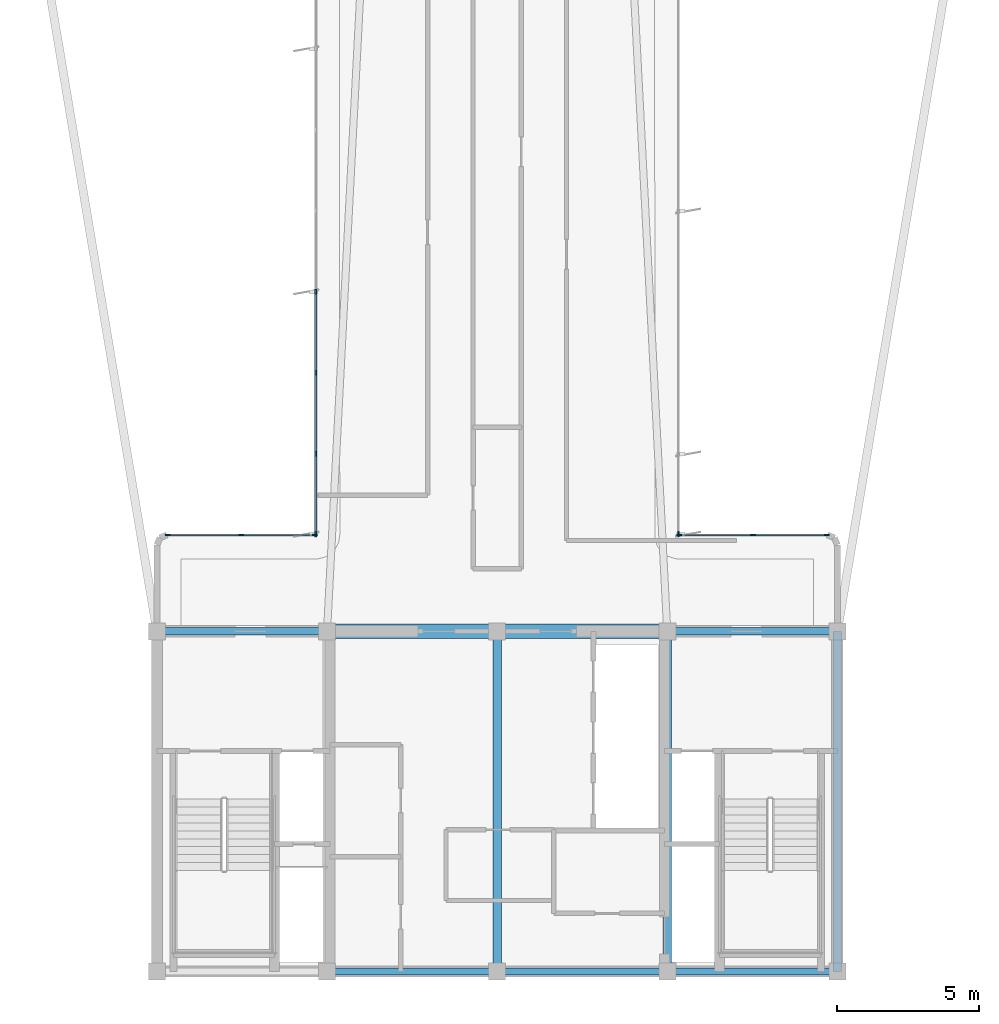
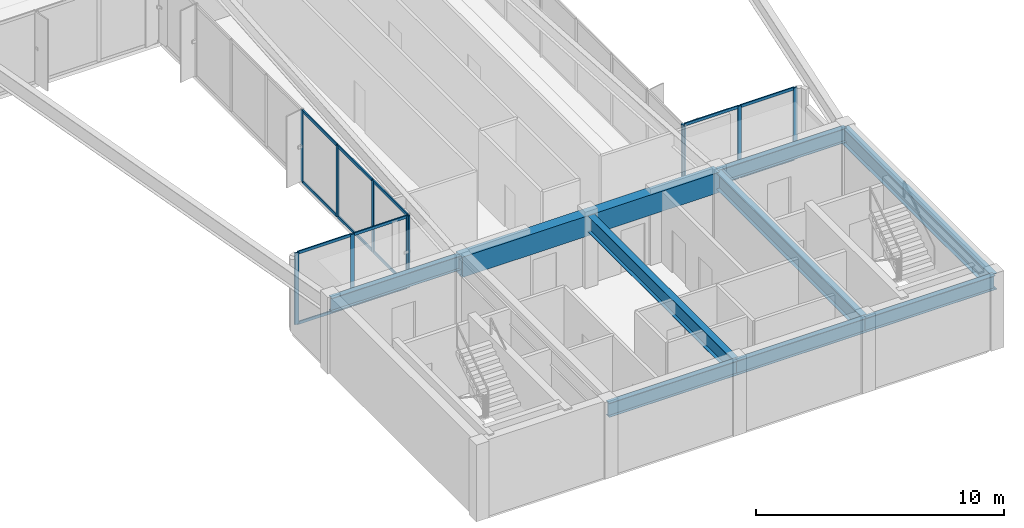
# One storey, part 2 of 14: 25 members, 9 beams, 4 elements without a shape of their own.
"""IFC4 building model written with IfcOpenShell, lengths in metres."""

from ifc_helpers import new_model, si_unit, direction, frame, origin, origin_2d, place, context, subcontext, project, spatial, rectangle, i_section, extrude, source, transform, mapped, material, layer, layer_set, material_profile, profile_set, type_object, element, aggregate, save


model = new_model("IFC4")

# Units and contexts
model_context = context("Model", 3, precision=1e-05, world=origin(), true_north=direction((0.0, 1.0)))
body_context = subcontext(model_context, "Body", "Model", "MODEL_VIEW")
ifc_project = project(units=[si_unit("LENGTHUNIT", "METRE"), si_unit("AREAUNIT", "SQUARE_METRE"), si_unit("VOLUMEUNIT", "CUBIC_METRE"), si_unit("PLANEANGLEUNIT", "RADIAN"), si_unit("MASSUNIT", "GRAM", prefix="KILO")], contexts=[model_context])

# Site, building, storey
site_placement = place(None, origin())
site = spatial("IfcSite", under=ifc_project, at=site_placement, CompositionType="ELEMENT")
building_placement = place(site_placement, origin())
building = spatial("IfcBuilding", under=site, at=building_placement, Name="Brelvock Crest Care Tower", CompositionType="ELEMENT")
storey_placement = place(building_placement, frame((0.0, 0.0, 257.0400390625)))
storey = spatial("IfcBuildingStorey", under=building, at=storey_placement, Name="L65", CompositionType="ELEMENT", Elevation=257.0400390625)

# Beams
ifc_material_1 = material(Name="Steel Grade 350", Category="steel")
ifc_material_profile_1 = material_profile(ifc_material_1, i_section(OverallWidth=0.25, OverallDepth=0.699951171875, WebThickness=0.011962890625, FlangeThickness=0.02001953125, at=origin_2d()), Name="700WB150")
ifc_profile_set_1 = profile_set([ifc_material_profile_1], Name="Steel Grade 350")
beam_type_1 = type_object("IfcBeamType", Name="BM-G4", PredefinedType="BEAM", material=ifc_profile_set_1)
shared_shape_1 = source(origin(), body_context, "Body", "SweptSolid", [
    extrude(i_section(OverallWidth=0.25, OverallDepth=0.699951171875, WebThickness=0.011962890625, FlangeThickness=0.02001953125, at=origin_2d()), origin(), (0.0, 0.0, 1.0), 6.0),
])
for number, where, z_axis, x_axis, name in (
    (1, (24.0, 18.0, 3.179931640625), (1.0, 0.0, 0.0), (0.0, 1.0, 0.0), "BM-COREN-L65-1"),
    (2, (30.0, 6.0, 3.179931640625), (1.0, 0.0, 0.0), (0.0, 1.0, 0.0), "BM-CORES-L65-2"),
    (3, (36.0, 6.0, 3.179931640625), (1.0, 0.0, 0.0), (0.0, 1.0, 0.0), "BM-CORES-L65-3"),
    (4, (42.0, 6.0, 3.179931640625), (1.0, 0.0, 0.0), (0.0, 1.0, 0.0), "BM-CORES-L65-4"),
    (5, (42.0, 18.0, 3.179931640625), (1.0, 0.0, 0.0), (0.0, 1.0, 0.0), "BM-COREN-L65-4"),
):
    element("IfcBeam", number, at=place(storey_placement, frame(where, z_axis=z_axis, x_axis=x_axis)), inside=storey, type_object=beam_type_1, Name=name, PredefinedType="BEAM", context=body_context, shape_type="MappedRepresentation", body=[
        mapped(shared_shape_1, transform((0.0, 0.0, 0.0), x_axis=(1.0, 0.0, 0.0), y_axis=(0.0, 1.0, 0.0), z_axis=(0.0, 0.0, 1.0), scale=1.0)),
    ])
ifc_material_profile_2 = material_profile(ifc_material_1, i_section(OverallWidth=0.300048828125, OverallDepth=0.800048828125, WebThickness=0.013916015625, FlangeThickness=0.02197265625, at=origin_2d()), Name="800WB192")
ifc_profile_set_2 = profile_set([ifc_material_profile_2], Name="Steel Grade 350")
beam_type_2 = type_object("IfcBeamType", Name="BM-G5", PredefinedType="BEAM", material=ifc_profile_set_2)
shared_shape_2 = source(origin(), body_context, "Body", "SweptSolid", [
    extrude(i_section(OverallWidth=0.300048828125, OverallDepth=0.800048828125, WebThickness=0.013916015625, FlangeThickness=0.02197265625, at=origin_2d()), origin(), (0.0, 0.0, 1.0), 12.0),
])
for number, where, z_axis, x_axis, name in (
    (6, (36.0, 6.0, 3.1298828125), (0.0, 1.0, 0.0), (-1.0, 0.0, 0.0), "BM-COREX-L65-3"),
    (7, (42.0, 6.0, 3.1298828125), (0.0, 1.0, 0.0), (-1.0, 0.0, 0.0), "BM-COREX-L65-4"),
    (8, (48.0, 6.0, 3.1298828125), (0.0, 1.0, 0.0), (-1.0, 0.0, 0.0), "BM-COREX-L65-5"),
):
    element("IfcBeam", number, at=place(storey_placement, frame(where, z_axis=z_axis, x_axis=x_axis)), inside=storey, type_object=beam_type_2, Name=name, PredefinedType="BEAM", context=body_context, shape_type="MappedRepresentation", body=[
        mapped(shared_shape_2, transform((0.0, 0.0, 0.0), x_axis=(1.0, 0.0, 0.0), y_axis=(0.0, 1.0, 0.0), z_axis=(0.0, 0.0, 1.0), scale=1.0)),
    ])
ifc_material_2 = material(Name="Concrete S65 (65 MPa)", Category="concrete")
ifc_material_profile_3 = material_profile(ifc_material_2, rectangle(XDim=0.5, YDim=1.0, at=origin_2d()), Name="RC500x1000")
ifc_profile_set_3 = profile_set([ifc_material_profile_3], Name="Concrete S65 (65 MPa)")
beam_type_3 = type_object("IfcBeamType", Name="BM-LN2", PredefinedType="LINTEL", material=ifc_profile_set_3)
shared_shape_3 = source(origin(), body_context, "Body", "SweptSolid", [
    extrude(rectangle(XDim=0.5, YDim=1.0, at=origin_2d()), origin(), (0.0, 0.0, 1.0), 12.0),
])
beam_placement = place(storey_placement, frame((30.0, 18.0, 3.030029296875), z_axis=(1.0, 0.0, 0.0), x_axis=(0.0, 1.0, 0.0)))
element("IfcBeam", 9, at=beam_placement, inside=storey, type_object=beam_type_3, Name="L65 Core Coupling Lintel Beam", PredefinedType="LINTEL", context=body_context, shape_type="MappedRepresentation", body=[
    mapped(shared_shape_3, transform((0.0, 0.0, 0.0), x_axis=(1.0, 0.0, 0.0), y_axis=(0.0, 1.0, 0.0), z_axis=(0.0, 0.0, 1.0), scale=1.0)),
])

# Curtain wall, members
ifc_material_3 = material(Name="Dark Glass Double Glazed Low-E", Category="glass")
ifc_layer = layer(ifc_material_3, 0.239990234375, Name="CWS-5")
ifc_layer_set = layer_set([ifc_layer], Name="Dark Glass Double Glazed Low-E")
curtain_wall_type = type_object("IfcCurtainWallType", Name="CWS-5", PredefinedType="NOTDEFINED", material=ifc_layer_set)
curtain_wall_1_placement = place(storey_placement, origin())
curtain_wall_1 = element("IfcCurtainWall", 10, at=curtain_wall_1_placement, inside=storey, type_object=curtain_wall_type, Name="L65 Curtain Wall E10", PredefinedType="NOTDEFINED")
ifc_material_4 = material(Name="Aluminium 6063-T6", Category="aluminium")
ifc_material_profile_4 = material_profile(ifc_material_4, rectangle(XDim=0.06005859375, YDim=0.179931640625, at=origin_2d()), Name="ALU60x180")
ifc_profile_set_4 = profile_set([ifc_material_profile_4], Name="Aluminium 6063-T6")
member_type_1 = type_object("IfcMemberType", Name="CWM-2", PredefinedType="MULLION", material=ifc_profile_set_4)
shared_shape_4 = source(origin(), body_context, "Body", "SweptSolid", [
    extrude(rectangle(XDim=0.06005859375, YDim=0.179931640625, at=origin_2d()), origin(), (0.0, 0.0, 1.0), 3.530029296875),
])
member_1_placement = place(storey_placement, frame((24.3798828125, 21.39990234375, 0.0), z_axis=(0.0, 0.0, 1.0), x_axis=(0.0, 1.0, 0.0)))
member_1 = element("IfcMember", 11, at=member_1_placement, type_object=member_type_1, Name="CW-5 mullion 1", PredefinedType="MULLION", context=body_context, shape_type="MappedRepresentation", body=[
    mapped(shared_shape_4, transform((0.0, 0.0, 0.0), x_axis=(1.0, 0.0, 0.0), y_axis=(0.0, 1.0, 0.0), z_axis=(0.0, 0.0, 1.0), scale=1.0)),
])
member_2_placement = place(storey_placement, frame((26.97509765625, 21.39990234375, 0.0), z_axis=(0.0, 0.0, 1.0), x_axis=(0.0, 1.0, 0.0)))
member_2 = element("IfcMember", 12, at=member_2_placement, type_object=member_type_1, Name="CW-5 mullion 2", PredefinedType="MULLION", context=body_context, shape_type="MappedRepresentation", body=[
    mapped(shared_shape_4, transform((0.0, 0.0, 0.0), x_axis=(1.0, 0.0, 0.0), y_axis=(0.0, 1.0, 0.0), z_axis=(0.0, 0.0, 1.0), scale=1.0)),
])
member_3_placement = place(storey_placement, frame((29.570068359375, 21.39990234375, 0.0), z_axis=(0.0, 0.0, 1.0), x_axis=(0.0, 1.0, 0.0)))
member_3 = element("IfcMember", 13, at=member_3_placement, type_object=member_type_1, Name="CW-5 mullion 3", PredefinedType="MULLION", context=body_context, shape_type="MappedRepresentation", body=[
    mapped(shared_shape_4, transform((0.0, 0.0, 0.0), x_axis=(1.0, 0.0, 0.0), y_axis=(0.0, 1.0, 0.0), z_axis=(0.0, 0.0, 1.0), scale=1.0)),
])

curtain_wall_2_placement = place(storey_placement, origin())
curtain_wall_2 = element("IfcCurtainWall", 14, at=curtain_wall_2_placement, inside=storey, type_object=curtain_wall_type, Name="L65 Curtain Wall E11", PredefinedType="NOTDEFINED")
member_4_placement = place(storey_placement, frame((29.60009765625, 21.429931640625, 0.0), z_axis=(0.0, 0.0, 1.0), x_axis=(-1.0, 0.0, 0.0)))
member_4 = element("IfcMember", 15, at=member_4_placement, type_object=member_type_1, Name="CW-5 mullion 1", PredefinedType="MULLION", context=body_context, shape_type="MappedRepresentation", body=[
    mapped(shared_shape_4, transform((0.0, 0.0, 0.0), x_axis=(1.0, 0.0, 0.0), y_axis=(0.0, 1.0, 0.0), z_axis=(0.0, 0.0, 1.0), scale=1.0)),
])
member_5_placement = place(storey_placement, frame((29.60009765625, 24.257080078125, 0.0), z_axis=(0.0, 0.0, 1.0), x_axis=(-1.0, 0.0, 0.0)))
member_5 = element("IfcMember", 16, at=member_5_placement, type_object=member_type_1, Name="CW-5 mullion 2", PredefinedType="MULLION", context=body_context, shape_type="MappedRepresentation", body=[
    mapped(shared_shape_4, transform((0.0, 0.0, 0.0), x_axis=(1.0, 0.0, 0.0), y_axis=(0.0, 1.0, 0.0), z_axis=(0.0, 0.0, 1.0), scale=1.0)),
])
member_6_placement = place(storey_placement, frame((29.60009765625, 27.1142578125, 0.0), z_axis=(0.0, 0.0, 1.0), x_axis=(-1.0, 0.0, 0.0)))
member_6 = element("IfcMember", 17, at=member_6_placement, type_object=member_type_1, Name="CW-5 mullion 3", PredefinedType="MULLION", context=body_context, shape_type="MappedRepresentation", body=[
    mapped(shared_shape_4, transform((0.0, 0.0, 0.0), x_axis=(1.0, 0.0, 0.0), y_axis=(0.0, 1.0, 0.0), z_axis=(0.0, 0.0, 1.0), scale=1.0)),
])
member_7_placement = place(storey_placement, frame((29.60009765625, 29.971435546875, 0.0), z_axis=(0.0, 0.0, 1.0), x_axis=(-1.0, 0.0, 0.0)))
member_7 = element("IfcMember", 18, at=member_7_placement, type_object=member_type_1, Name="CW-5 mullion 4", PredefinedType="MULLION", context=body_context, shape_type="MappedRepresentation", body=[
    mapped(shared_shape_4, transform((0.0, 0.0, 0.0), x_axis=(1.0, 0.0, 0.0), y_axis=(0.0, 1.0, 0.0), z_axis=(0.0, 0.0, 1.0), scale=1.0)),
])

# Curtain wall, member
curtain_wall_3_placement = place(storey_placement, origin())
curtain_wall_3 = element("IfcCurtainWall", 19, at=curtain_wall_3_placement, inside=storey, type_object=curtain_wall_type, Name="L65 Curtain Wall E45", PredefinedType="NOTDEFINED")
member_8_placement = place(storey_placement, frame((42.39990234375, 21.429931640625, 0.0), z_axis=(0.0, 0.0, 1.0), x_axis=(1.0, 0.0, 0.0)))
member_8 = element("IfcMember", 20, at=member_8_placement, type_object=member_type_1, Name="CW-5 mullion 8", PredefinedType="MULLION", context=body_context, shape_type="MappedRepresentation", body=[
    mapped(shared_shape_4, transform((0.0, 0.0, 0.0), x_axis=(1.0, 0.0, 0.0), y_axis=(0.0, 1.0, 0.0), z_axis=(0.0, 0.0, 1.0), scale=1.0)),
])
aggregate(curtain_wall_3, [member_8])

# Curtain wall, members
curtain_wall_4_placement = place(storey_placement, origin())
curtain_wall_4 = element("IfcCurtainWall", 21, at=curtain_wall_4_placement, inside=storey, type_object=curtain_wall_type, Name="L65 Curtain Wall E46", PredefinedType="NOTDEFINED")
member_9_placement = place(storey_placement, frame((42.429931640625, 21.39990234375, 0.0), z_axis=(0.0, 0.0, 1.0), x_axis=(0.0, 1.0, 0.0)))
member_9 = element("IfcMember", 22, at=member_9_placement, type_object=member_type_1, Name="CW-5 mullion 1", PredefinedType="MULLION", context=body_context, shape_type="MappedRepresentation", body=[
    mapped(shared_shape_4, transform((0.0, 0.0, 0.0), x_axis=(1.0, 0.0, 0.0), y_axis=(0.0, 1.0, 0.0), z_axis=(0.0, 0.0, 1.0), scale=1.0)),
])
member_10_placement = place(storey_placement, frame((45.02490234375, 21.39990234375, 0.0), z_axis=(0.0, 0.0, 1.0), x_axis=(0.0, 1.0, 0.0)))
member_10 = element("IfcMember", 23, at=member_10_placement, type_object=member_type_1, Name="CW-5 mullion 2", PredefinedType="MULLION", context=body_context, shape_type="MappedRepresentation", body=[
    mapped(shared_shape_4, transform((0.0, 0.0, 0.0), x_axis=(1.0, 0.0, 0.0), y_axis=(0.0, 1.0, 0.0), z_axis=(0.0, 0.0, 1.0), scale=1.0)),
])
member_11_placement = place(storey_placement, frame((47.6201171875, 21.39990234375, 0.0), z_axis=(0.0, 0.0, 1.0), x_axis=(0.0, 1.0, 0.0)))
member_11 = element("IfcMember", 24, at=member_11_placement, type_object=member_type_1, Name="CW-5 mullion 3", PredefinedType="MULLION", context=body_context, shape_type="MappedRepresentation", body=[
    mapped(shared_shape_4, transform((0.0, 0.0, 0.0), x_axis=(1.0, 0.0, 0.0), y_axis=(0.0, 1.0, 0.0), z_axis=(0.0, 0.0, 1.0), scale=1.0)),
])

# Member
ifc_material_profile_5 = material_profile(ifc_material_4, rectangle(XDim=0.06005859375, YDim=0.139892578125, at=origin_2d()), Name="ALU60x140")
ifc_profile_set_5 = profile_set([ifc_material_profile_5], Name="Aluminium 6063-T6")
member_type_2 = type_object("IfcMemberType", Name="CWT-2", PredefinedType="USERDEFINED", material=ifc_profile_set_5)
shared_shape_5 = source(origin(), body_context, "Body", "SweptSolid", [
    extrude(rectangle(XDim=0.06005859375, YDim=0.139892578125, at=origin_2d()), origin(), (0.0, 0.0, 1.0), 2.53515625),
])
member_12_placement = place(storey_placement, frame((24.409912109375, 21.39990234375, 0.030029296875), z_axis=(1.0, 0.0, 0.0), x_axis=(0.0, 1.0, 0.0)))
member_12 = element("IfcMember", 25, at=member_12_placement, type_object=member_type_2, Name="CW-5 transom 1.1", ObjectType="TRANSOM", PredefinedType="USERDEFINED", context=body_context, shape_type="MappedRepresentation", body=[
    mapped(shared_shape_5, transform((0.0, 0.0, 0.0), x_axis=(1.0, 0.0, 0.0), y_axis=(0.0, 1.0, 0.0), z_axis=(0.0, 0.0, 1.0), scale=1.0)),
])

member_13_placement = place(storey_placement, frame((24.409912109375, 21.39990234375, 3.5), z_axis=(1.0, 0.0, 0.0), x_axis=(0.0, 1.0, 0.0)))
member_13 = element("IfcMember", 26, at=member_13_placement, type_object=member_type_2, Name="CW-5 transom 1.2", ObjectType="TRANSOM", PredefinedType="USERDEFINED", context=body_context, shape_type="MappedRepresentation", body=[
    mapped(shared_shape_5, transform((0.0, 0.0, 0.0), x_axis=(1.0, 0.0, 0.0), y_axis=(0.0, 1.0, 0.0), z_axis=(0.0, 0.0, 1.0), scale=1.0)),
])

member_14_placement = place(storey_placement, frame((27.0048828125, 21.39990234375, 0.030029296875), z_axis=(1.0, 0.0, 0.0), x_axis=(0.0, 1.0, 0.0)))
member_14 = element("IfcMember", 27, at=member_14_placement, type_object=member_type_2, Name="CW-5 transom 2.1", ObjectType="TRANSOM", PredefinedType="USERDEFINED", context=body_context, shape_type="MappedRepresentation", body=[
    mapped(shared_shape_5, transform((0.0, 0.0, 0.0), x_axis=(1.0, 0.0, 0.0), y_axis=(0.0, 1.0, 0.0), z_axis=(0.0, 0.0, 1.0), scale=1.0)),
])

member_15_placement = place(storey_placement, frame((27.0048828125, 21.39990234375, 3.5), z_axis=(1.0, 0.0, 0.0), x_axis=(0.0, 1.0, 0.0)))
member_15 = element("IfcMember", 28, at=member_15_placement, type_object=member_type_2, Name="CW-5 transom 2.2", ObjectType="TRANSOM", PredefinedType="USERDEFINED", context=body_context, shape_type="MappedRepresentation", body=[
    mapped(shared_shape_5, transform((0.0, 0.0, 0.0), x_axis=(1.0, 0.0, 0.0), y_axis=(0.0, 1.0, 0.0), z_axis=(0.0, 0.0, 1.0), scale=1.0)),
])

aggregate(curtain_wall_1, [member_1, member_2, member_3, member_12, member_13, member_14, member_15])

member_16_placement = place(storey_placement, frame((42.4599609375, 21.39990234375, 0.030029296875), z_axis=(1.0, 0.0, 0.0), x_axis=(0.0, 1.0, 0.0)))
member_16 = element("IfcMember", 29, at=member_16_placement, type_object=member_type_2, Name="CW-5 transom 1.1", ObjectType="TRANSOM", PredefinedType="USERDEFINED", context=body_context, shape_type="MappedRepresentation", body=[
    mapped(shared_shape_5, transform((0.0, 0.0, 0.0), x_axis=(1.0, 0.0, 0.0), y_axis=(0.0, 1.0, 0.0), z_axis=(0.0, 0.0, 1.0), scale=1.0)),
])

member_17_placement = place(storey_placement, frame((42.4599609375, 21.39990234375, 3.5), z_axis=(1.0, 0.0, 0.0), x_axis=(0.0, 1.0, 0.0)))
member_17 = element("IfcMember", 30, at=member_17_placement, type_object=member_type_2, Name="CW-5 transom 1.2", ObjectType="TRANSOM", PredefinedType="USERDEFINED", context=body_context, shape_type="MappedRepresentation", body=[
    mapped(shared_shape_5, transform((0.0, 0.0, 0.0), x_axis=(1.0, 0.0, 0.0), y_axis=(0.0, 1.0, 0.0), z_axis=(0.0, 0.0, 1.0), scale=1.0)),
])

member_18_placement = place(storey_placement, frame((45.054931640625, 21.39990234375, 0.030029296875), z_axis=(1.0, 0.0, 0.0), x_axis=(0.0, 1.0, 0.0)))
member_18 = element("IfcMember", 31, at=member_18_placement, type_object=member_type_2, Name="CW-5 transom 2.1", ObjectType="TRANSOM", PredefinedType="USERDEFINED", context=body_context, shape_type="MappedRepresentation", body=[
    mapped(shared_shape_5, transform((0.0, 0.0, 0.0), x_axis=(1.0, 0.0, 0.0), y_axis=(0.0, 1.0, 0.0), z_axis=(0.0, 0.0, 1.0), scale=1.0)),
])

member_19_placement = place(storey_placement, frame((45.054931640625, 21.39990234375, 3.5), z_axis=(1.0, 0.0, 0.0), x_axis=(0.0, 1.0, 0.0)))
member_19 = element("IfcMember", 32, at=member_19_placement, type_object=member_type_2, Name="CW-5 transom 2.2", ObjectType="TRANSOM", PredefinedType="USERDEFINED", context=body_context, shape_type="MappedRepresentation", body=[
    mapped(shared_shape_5, transform((0.0, 0.0, 0.0), x_axis=(1.0, 0.0, 0.0), y_axis=(0.0, 1.0, 0.0), z_axis=(0.0, 0.0, 1.0), scale=1.0)),
])

aggregate(curtain_wall_4, [member_9, member_10, member_11, member_16, member_17, member_18, member_19])

shared_shape_6 = source(origin(), body_context, "Body", "SweptSolid", [
    extrude(rectangle(XDim=0.06005859375, YDim=0.139892578125, at=origin_2d()), origin(), (0.0, 0.0, 1.0), 2.76708984375),
])
member_20_placement = place(storey_placement, frame((29.60009765625, 21.4599609375, 0.030029296875), z_axis=(0.0, 1.0, 0.0), x_axis=(-1.0, 0.0, 0.0)))
member_20 = element("IfcMember", 33, at=member_20_placement, type_object=member_type_2, Name="CW-5 transom 1.1", ObjectType="TRANSOM", PredefinedType="USERDEFINED", context=body_context, shape_type="MappedRepresentation", body=[
    mapped(shared_shape_6, transform((0.0, 0.0, 0.0), x_axis=(1.0, 0.0, 0.0), y_axis=(0.0, 1.0, 0.0), z_axis=(0.0, 0.0, 1.0), scale=1.0)),
])

member_21_placement = place(storey_placement, frame((29.60009765625, 21.4599609375, 3.5), z_axis=(0.0, 1.0, 0.0), x_axis=(-1.0, 0.0, 0.0)))
member_21 = element("IfcMember", 34, at=member_21_placement, type_object=member_type_2, Name="CW-5 transom 1.2", ObjectType="TRANSOM", PredefinedType="USERDEFINED", context=body_context, shape_type="MappedRepresentation", body=[
    mapped(shared_shape_6, transform((0.0, 0.0, 0.0), x_axis=(1.0, 0.0, 0.0), y_axis=(0.0, 1.0, 0.0), z_axis=(0.0, 0.0, 1.0), scale=1.0)),
])

shared_shape_7 = source(origin(), body_context, "Body", "SweptSolid", [
    extrude(rectangle(XDim=0.06005859375, YDim=0.139892578125, at=origin_2d()), origin(), (0.0, 0.0, 1.0), 2.797119140625),
])
member_22_placement = place(storey_placement, frame((29.60009765625, 24.287109375, 0.030029296875), z_axis=(0.0, 1.0, 0.0), x_axis=(-1.0, 0.0, 0.0)))
member_22 = element("IfcMember", 35, at=member_22_placement, type_object=member_type_2, Name="CW-5 transom 2.1", ObjectType="TRANSOM", PredefinedType="USERDEFINED", context=body_context, shape_type="MappedRepresentation", body=[
    mapped(shared_shape_7, transform((0.0, 0.0, 0.0), x_axis=(1.0, 0.0, 0.0), y_axis=(0.0, 1.0, 0.0), z_axis=(0.0, 0.0, 1.0), scale=1.0)),
])

member_23_placement = place(storey_placement, frame((29.60009765625, 24.287109375, 3.5), z_axis=(0.0, 1.0, 0.0), x_axis=(-1.0, 0.0, 0.0)))
member_23 = element("IfcMember", 36, at=member_23_placement, type_object=member_type_2, Name="CW-5 transom 2.2", ObjectType="TRANSOM", PredefinedType="USERDEFINED", context=body_context, shape_type="MappedRepresentation", body=[
    mapped(shared_shape_7, transform((0.0, 0.0, 0.0), x_axis=(1.0, 0.0, 0.0), y_axis=(0.0, 1.0, 0.0), z_axis=(0.0, 0.0, 1.0), scale=1.0)),
])

member_24_placement = place(storey_placement, frame((29.60009765625, 27.144287109375, 0.030029296875), z_axis=(0.0, 1.0, 0.0), x_axis=(-1.0, 0.0, 0.0)))
member_24 = element("IfcMember", 37, at=member_24_placement, type_object=member_type_2, Name="CW-5 transom 3.1", ObjectType="TRANSOM", PredefinedType="USERDEFINED", context=body_context, shape_type="MappedRepresentation", body=[
    mapped(shared_shape_7, transform((0.0, 0.0, 0.0), x_axis=(1.0, 0.0, 0.0), y_axis=(0.0, 1.0, 0.0), z_axis=(0.0, 0.0, 1.0), scale=1.0)),
])

member_25_placement = place(storey_placement, frame((29.60009765625, 27.144287109375, 3.5), z_axis=(0.0, 1.0, 0.0), x_axis=(-1.0, 0.0, 0.0)))
member_25 = element("IfcMember", 38, at=member_25_placement, type_object=member_type_2, Name="CW-5 transom 3.2", ObjectType="TRANSOM", PredefinedType="USERDEFINED", context=body_context, shape_type="MappedRepresentation", body=[
    mapped(shared_shape_7, transform((0.0, 0.0, 0.0), x_axis=(1.0, 0.0, 0.0), y_axis=(0.0, 1.0, 0.0), z_axis=(0.0, 0.0, 1.0), scale=1.0)),
])

aggregate(curtain_wall_2, [member_4, member_5, member_6, member_7, member_20, member_21, member_22, member_23, member_24, member_25])

save(model, "model.ifc")
